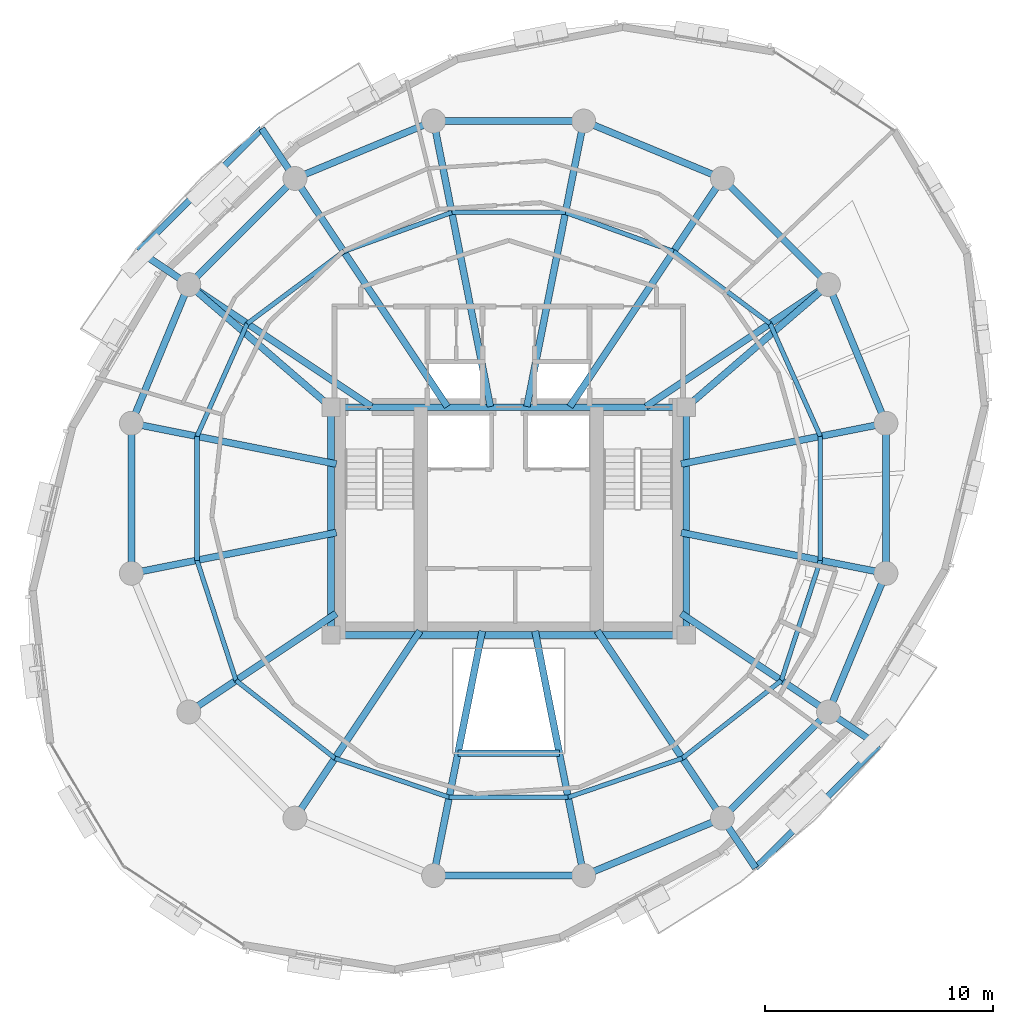
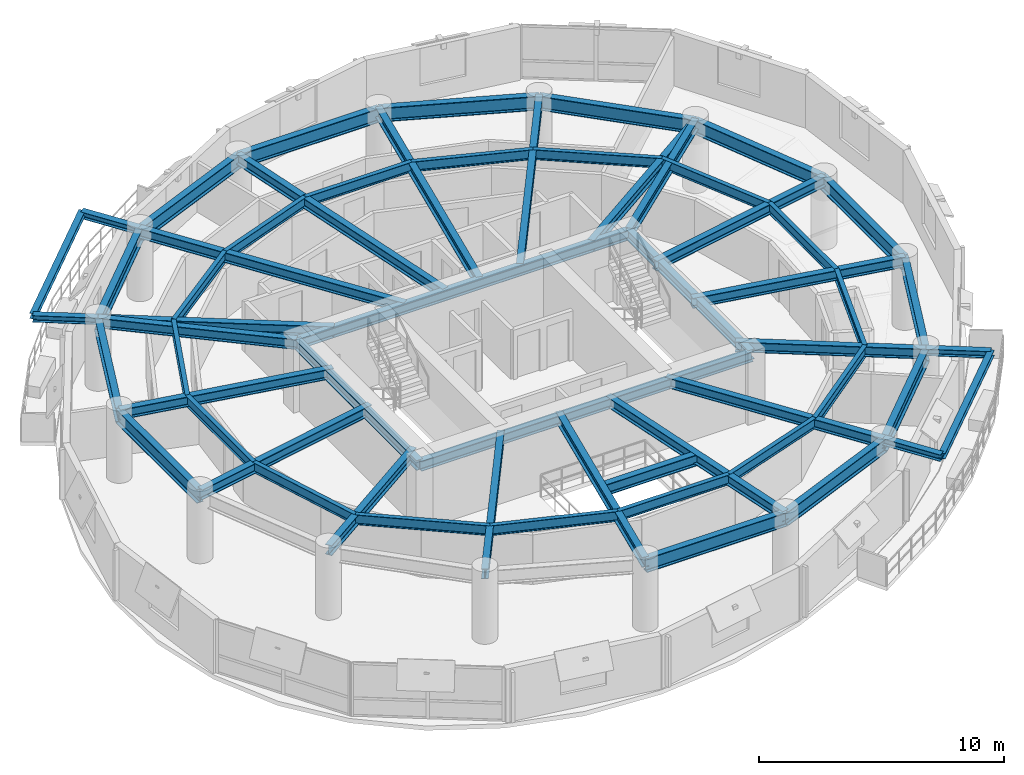
# One storey, part 5 of 12: 58 beams.
"""IFC4 building model written with IfcOpenShell, lengths in metres."""

from ifc_helpers import new_model, si_unit, direction, frame, origin, origin_2d, place, context, subcontext, project, spatial, i_section, extrude, material, material_profile, profile_set, type_object, element, save


model = new_model("IFC4")

# Units and contexts
model_context = context("Model", 3, precision=1e-05, world=origin(), true_north=direction((0.0, 1.0)))
body_context = subcontext(model_context, "Body", "Model", "MODEL_VIEW")
ifc_project = project(units=[si_unit("LENGTHUNIT", "METRE"), si_unit("AREAUNIT", "SQUARE_METRE"), si_unit("VOLUMEUNIT", "CUBIC_METRE"), si_unit("PLANEANGLEUNIT", "RADIAN"), si_unit("MASSUNIT", "GRAM", prefix="KILO"), si_unit("THERMODYNAMICTEMPERATUREUNIT", "KELVIN"), si_unit("POWERUNIT", "WATT")], contexts=[model_context])

# Site, building, storey
site_placement = place(None, origin())
site = spatial("IfcSite", under=ifc_project, at=site_placement, CompositionType="ELEMENT")
building_placement = place(site_placement, origin())
building = spatial("IfcBuilding", under=site, at=building_placement, Name="Ocrelia Relay Tower", CompositionType="ELEMENT")
storey_placement = place(building_placement, frame((0.0, 0.0, 213.199951171875)))
storey = spatial("IfcBuildingStorey", under=building, at=storey_placement, Name="L52", CompositionType="ELEMENT", Elevation=213.199951171875)

# Beams
ifc_material = material(Name="Steel S355", Category="steel")
ifc_material_profile_1 = material_profile(ifc_material, i_section(OverallWidth=0.280029296875, OverallDepth=0.27001953125, WebThickness=0.008056640625, FlangeThickness=0.012939453125, FilletRadius=0.02392578125, at=origin_2d()), Name="HEA 280")
ifc_profile_set_1 = profile_set([ifc_material_profile_1], Name="Steel S355")
beam_type_1 = type_object("IfcBeamType", Name="BM-HEA280", PredefinedType="BEAM", material=ifc_profile_set_1)
for number, where, z_axis, x_axis, name in (
    (1, (23.150634765625, 42.237060546875, 3.2451171875), (-0.709950446608, -0.704251633553, 0.0), (0.704251633553, -0.709950446608, 0.0), "L53 Balcony Edge Trimmer Beam B1"),
    (2, (44.849365234375, 9.762939453125, 3.2451171875), (0.709950446608, 0.704251633553, 0.0), (-0.704251633553, 0.709950446608, 0.0), "L53 Balcony Edge Trimmer Beam B2"),
):
    element("IfcBeam", number, at=place(storey_placement, frame(where, z_axis=z_axis, x_axis=x_axis)), inside=storey, type_object=beam_type_1, Name=name, PredefinedType="BEAM", context=body_context, shape_type="SweptSolid", body=[
        extrude(i_section(OverallWidth=0.280029296875, OverallDepth=0.27001953125, WebThickness=0.008056640625, FlangeThickness=0.012939453125, FilletRadius=0.02392578125, at=origin_2d()), origin(), (0.0, 0.0, 1.0), 7.625732421875),
    ])
ifc_material_profile_2 = material_profile(ifc_material, i_section(OverallWidth=0.300048828125, OverallDepth=0.330078125, WebThickness=0.009521484375, FlangeThickness=0.0166015625, FilletRadius=0.027099609375, at=origin_2d()), Name="HEA 340")
ifc_profile_set_2 = profile_set([ifc_material_profile_2], Name="Steel S355")
beam_type_2 = type_object("IfcBeamType", Name="BM-HEA340", PredefinedType="BEAM", material=ifc_profile_set_2)
beam_1_placement = place(storey_placement, frame((24.61083984375, 40.0517578125, 3.215087890625), z_axis=(-0.555578774908, 0.831463904732, 0.0), x_axis=(-0.831463904732, -0.555578774908, 0.0)))
element("IfcBeam", 3, at=beam_1_placement, inside=storey, type_object=beam_type_2, Name="L53 Balcony Cantilever Beam B1-1", PredefinedType="BEAM", context=body_context, shape_type="SweptSolid", body=[
    extrude(i_section(OverallWidth=0.300048828125, OverallDepth=0.330078125, WebThickness=0.009521484375, FlangeThickness=0.0166015625, FilletRadius=0.027099609375, at=origin_2d()), origin(), (0.0, 0.0, 1.0), 2.628173828125),
])
beam_2_placement = place(storey_placement, frame((19.9482421875, 35.38916015625, 3.215087890625), z_axis=(-0.831484966591, 0.555547253015, 0.0), x_axis=(-0.555547253015, -0.831484966591, 0.0)))
element("IfcBeam", 4, at=beam_2_placement, inside=storey, type_object=beam_type_2, Name="L53 Balcony Cantilever Beam B1-2", PredefinedType="BEAM", context=body_context, shape_type="SweptSolid", body=[
    extrude(i_section(OverallWidth=0.300048828125, OverallDepth=0.330078125, WebThickness=0.009521484375, FlangeThickness=0.0166015625, FilletRadius=0.027099609375, at=origin_2d()), origin(), (0.0, 0.0, 1.0), 2.65966796875),
])
beam_3_placement = place(storey_placement, frame((43.38916015625, 11.9482421875, 3.215087890625), z_axis=(0.555578774908, -0.831463904732, 0.0), x_axis=(0.831463904732, 0.555578774908, 0.0)))
element("IfcBeam", 5, at=beam_3_placement, inside=storey, type_object=beam_type_2, Name="L53 Balcony Cantilever Beam B2-1", PredefinedType="BEAM", context=body_context, shape_type="SweptSolid", body=[
    extrude(i_section(OverallWidth=0.300048828125, OverallDepth=0.330078125, WebThickness=0.009521484375, FlangeThickness=0.0166015625, FilletRadius=0.027099609375, at=origin_2d()), origin(), (0.0, 0.0, 1.0), 2.628173828125),
])
beam_4_placement = place(storey_placement, frame((48.0517578125, 16.61083984375, 3.215087890625), z_axis=(0.831484966591, -0.555547253015, 0.0), x_axis=(0.555547253015, 0.831484966591, 0.0)))
element("IfcBeam", 6, at=beam_4_placement, inside=storey, type_object=beam_type_2, Name="L53 Balcony Cantilever Beam B2-2", PredefinedType="BEAM", context=body_context, shape_type="SweptSolid", body=[
    extrude(i_section(OverallWidth=0.300048828125, OverallDepth=0.330078125, WebThickness=0.009521484375, FlangeThickness=0.0166015625, FilletRadius=0.027099609375, at=origin_2d()), origin(), (0.0, 0.0, 1.0), 2.65966796875),
])
ifc_material_profile_3 = material_profile(ifc_material, i_section(OverallWidth=0.300048828125, OverallDepth=0.5, WebThickness=0.014404296875, FlangeThickness=0.028076171875, FilletRadius=0.027099609375, at=origin_2d()), Name="HEB 500")
ifc_profile_set_3 = profile_set([ifc_material_profile_3], Name="Steel S355")
beam_type_3 = type_object("IfcBeamType", Name="BM-HEB500", PredefinedType="BEAM", material=ifc_profile_set_3)
for number, where, z_axis, x_axis, name in (
    (7, (26.199951171875, 20.0, 3.130126953125), (1.0, 0.0, 0.0), (0.0, 1.0, 0.0), "L52 Core Pilaster Tie Beam S"),
    (8, (26.199951171875, 30.0, 3.130126953125), (1.0, 0.0, 0.0), (0.0, 1.0, 0.0), "L52 Core Pilaster Tie Beam N"),
):
    element("IfcBeam", number, at=place(storey_placement, frame(where, z_axis=z_axis, x_axis=x_axis)), inside=storey, type_object=beam_type_3, Name=name, PredefinedType="BEAM", context=body_context, shape_type="SweptSolid", body=[
        extrude(i_section(OverallWidth=0.300048828125, OverallDepth=0.5, WebThickness=0.014404296875, FlangeThickness=0.028076171875, FilletRadius=0.027099609375, at=origin_2d()), origin(), (0.0, 0.0, 1.0), 15.60009765625),
    ])
for number, where, z_axis, x_axis, name in (
    (9, (26.199951171875, 20.0, 3.130126953125), (0.0, 1.0, 0.0), (-1.0, 0.0, 0.0), "L52 Core Pilaster Tie Beam W"),
    (10, (41.800048828125, 20.0, 3.130126953125), (0.0, 1.0, 0.0), (-1.0, 0.0, 0.0), "L52 Core Pilaster Tie Beam E"),
):
    element("IfcBeam", number, at=place(storey_placement, frame(where, z_axis=z_axis, x_axis=x_axis)), inside=storey, type_object=beam_type_3, Name=name, PredefinedType="BEAM", context=body_context, shape_type="SweptSolid", body=[
        extrude(i_section(OverallWidth=0.300048828125, OverallDepth=0.5, WebThickness=0.014404296875, FlangeThickness=0.028076171875, FilletRadius=0.027099609375, at=origin_2d()), origin(), (0.0, 0.0, 1.0), 10.0),
    ])
beam_5_placement = place(storey_placement, frame((50.5751953125, 29.297119140625, 3.130126953125), z_axis=(-0.980783891197, -0.1950973059, 0.0), x_axis=(0.1950973059, -0.980783891197, 0.0)))
element("IfcBeam", 11, at=beam_5_placement, inside=storey, type_object=beam_type_3, Name="L52 Radial Floor Girder R01", PredefinedType="BEAM", context=body_context, shape_type="SweptSolid", body=[
    extrude(i_section(OverallWidth=0.300048828125, OverallDepth=0.5, WebThickness=0.014404296875, FlangeThickness=0.028076171875, FilletRadius=0.027099609375, at=origin_2d()), origin(), (0.0, 0.0, 1.0), 9.17138671875),
])
beam_6_placement = place(storey_placement, frame((48.0517578125, 35.38916015625, 3.130126953125), z_axis=(-0.831469666235, -0.555570152305, 0.0), x_axis=(0.555570152305, -0.831469666235, 0.0)))
element("IfcBeam", 12, at=beam_6_placement, inside=storey, type_object=beam_type_3, Name="L52 Radial Floor Girder R02", PredefinedType="BEAM", context=body_context, shape_type="SweptSolid", body=[
    extrude(i_section(OverallWidth=0.300048828125, OverallDepth=0.5, WebThickness=0.014404296875, FlangeThickness=0.028076171875, FilletRadius=0.027099609375, at=origin_2d()), origin(), (0.0, 0.0, 1.0), 9.646240234375),
])
beam_7_placement = place(storey_placement, frame((48.0517578125, 35.38916015625, 3.130126953125), z_axis=(-0.757424589403, -0.652922653434, 0.0), x_axis=(0.652922653434, -0.757424589403, 0.0)))
element("IfcBeam", 13, at=beam_7_placement, inside=storey, type_object=beam_type_3, Name="L52 Core Pilaster Frame Tie Beam PT02", PredefinedType="BEAM", context=body_context, shape_type="SweptSolid", body=[
    extrude(i_section(OverallWidth=0.300048828125, OverallDepth=0.5, WebThickness=0.014404296875, FlangeThickness=0.028076171875, FilletRadius=0.027099609375, at=origin_2d()), origin(), (0.0, 0.0, 1.0), 8.25390625),
])
beam_8_placement = place(storey_placement, frame((43.38916015625, 40.0517578125, 3.130126953125), z_axis=(-0.55556932408, -0.831470219636, 0.0), x_axis=(0.831470219636, -0.55556932408, 0.0)))
element("IfcBeam", 14, at=beam_8_placement, inside=storey, type_object=beam_type_3, Name="L52 Radial Floor Girder R03", PredefinedType="BEAM", context=body_context, shape_type="SweptSolid", body=[
    extrude(i_section(OverallWidth=0.300048828125, OverallDepth=0.5, WebThickness=0.014404296875, FlangeThickness=0.028076171875, FilletRadius=0.027099609375, at=origin_2d()), origin(), (0.0, 0.0, 1.0), 12.052978515625),
])
for number, where, z_axis, x_axis, name in (
    (15, (37.297119140625, 42.5751953125, 3.130126953125), (-0.195106626135, -0.980782037171, 0.0), (0.980782037171, -0.195106626135, 0.0), "L52 Radial Floor Girder R04"),
    (16, (30.702880859375, 42.5751953125, 3.130126953125), (0.195106626135, -0.980782037171, 0.0), (0.980782037171, 0.195106626135, 0.0), "L52 Radial Floor Girder R05"),
):
    element("IfcBeam", number, at=place(storey_placement, frame(where, z_axis=z_axis, x_axis=x_axis)), inside=storey, type_object=beam_type_3, Name=name, PredefinedType="BEAM", context=body_context, shape_type="SweptSolid", body=[
        extrude(i_section(OverallWidth=0.300048828125, OverallDepth=0.5, WebThickness=0.014404296875, FlangeThickness=0.028076171875, FilletRadius=0.027099609375, at=origin_2d()), origin(), (0.0, 0.0, 1.0), 12.791015625),
    ])
beam_9_placement = place(storey_placement, frame((24.61083984375, 40.0517578125, 3.130126953125), z_axis=(0.55556932408, -0.831470219636, 0.0), x_axis=(0.831470219636, 0.55556932408, 0.0)))
element("IfcBeam", 17, at=beam_9_placement, inside=storey, type_object=beam_type_3, Name="L52 Radial Floor Girder R06", PredefinedType="BEAM", context=body_context, shape_type="SweptSolid", body=[
    extrude(i_section(OverallWidth=0.300048828125, OverallDepth=0.5, WebThickness=0.014404296875, FlangeThickness=0.028076171875, FilletRadius=0.027099609375, at=origin_2d()), origin(), (0.0, 0.0, 1.0), 12.052978515625),
])
beam_10_placement = place(storey_placement, frame((19.9482421875, 35.38916015625, 3.130126953125), z_axis=(0.831469666235, -0.555570152305, 0.0), x_axis=(0.555570152305, 0.831469666235, 0.0)))
element("IfcBeam", 18, at=beam_10_placement, inside=storey, type_object=beam_type_3, Name="L52 Radial Floor Girder R07", PredefinedType="BEAM", context=body_context, shape_type="SweptSolid", body=[
    extrude(i_section(OverallWidth=0.300048828125, OverallDepth=0.5, WebThickness=0.014404296875, FlangeThickness=0.028076171875, FilletRadius=0.027099609375, at=origin_2d()), origin(), (0.0, 0.0, 1.0), 9.646240234375),
])
beam_11_placement = place(storey_placement, frame((19.9482421875, 35.38916015625, 3.130126953125), z_axis=(0.757424589403, -0.652922653434, 0.0), x_axis=(0.652922653434, 0.757424589403, 0.0)))
element("IfcBeam", 19, at=beam_11_placement, inside=storey, type_object=beam_type_3, Name="L52 Core Pilaster Frame Tie Beam PT07", PredefinedType="BEAM", context=body_context, shape_type="SweptSolid", body=[
    extrude(i_section(OverallWidth=0.300048828125, OverallDepth=0.5, WebThickness=0.014404296875, FlangeThickness=0.028076171875, FilletRadius=0.027099609375, at=origin_2d()), origin(), (0.0, 0.0, 1.0), 8.25390625),
])
for number, where, z_axis, x_axis, name in (
    (20, (17.4248046875, 29.297119140625, 3.130126953125), (0.980784683446, -0.195093323097, 0.0), (0.195093323097, 0.980784683446, 0.0), "L52 Radial Floor Girder R08"),
    (21, (17.4248046875, 22.702880859375, 3.130126953125), (0.980784683446, 0.195093323097, 0.0), (-0.195093323097, 0.980784683446, 0.0), "L52 Radial Floor Girder R09"),
):
    element("IfcBeam", number, at=place(storey_placement, frame(where, z_axis=z_axis, x_axis=x_axis)), inside=storey, type_object=beam_type_3, Name=name, PredefinedType="BEAM", context=body_context, shape_type="SweptSolid", body=[
        extrude(i_section(OverallWidth=0.300048828125, OverallDepth=0.5, WebThickness=0.014404296875, FlangeThickness=0.028076171875, FilletRadius=0.027099609375, at=origin_2d()), origin(), (0.0, 0.0, 1.0), 9.181640625),
    ])
beam_12_placement = place(storey_placement, frame((19.9482421875, 16.61083984375, 3.130126953125), z_axis=(0.831462012084, 0.555581607382, 0.0), x_axis=(-0.555581607382, 0.831462012084, 0.0)))
element("IfcBeam", 22, at=beam_12_placement, inside=storey, type_object=beam_type_3, Name="L52 Radial Floor Girder R10", PredefinedType="BEAM", context=body_context, shape_type="SweptSolid", body=[
    extrude(i_section(OverallWidth=0.300048828125, OverallDepth=0.5, WebThickness=0.014404296875, FlangeThickness=0.028076171875, FilletRadius=0.027099609375, at=origin_2d()), origin(), (0.0, 0.0, 1.0), 7.795654296875),
])
beam_13_placement = place(storey_placement, frame((24.61083984375, 11.9482421875, 3.130126953125), z_axis=(0.555577337069, 0.831464865485, 0.0), x_axis=(-0.831464865485, 0.555577337069, 0.0)))
element("IfcBeam", 23, at=beam_13_placement, inside=storey, type_object=beam_type_3, Name="L52 Radial Floor Girder R11", PredefinedType="BEAM", context=body_context, shape_type="SweptSolid", body=[
    extrude(i_section(OverallWidth=0.300048828125, OverallDepth=0.5, WebThickness=0.014404296875, FlangeThickness=0.028076171875, FilletRadius=0.027099609375, at=origin_2d()), origin(), (0.0, 0.0, 1.0), 9.88818359375),
])
for number, where, z_axis, x_axis, name in (
    (24, (30.702880859375, 9.4248046875, 3.130126953125), (0.195100373206, 0.980783281044, 0.0), (-0.980783281044, 0.195100373206, 0.0), "L52 Radial Floor Girder R12"),
    (25, (37.297119140625, 9.4248046875, 3.130126953125), (-0.195100373206, 0.980783281044, 0.0), (-0.980783281044, -0.195100373206, 0.0), "L52 Radial Floor Girder R13"),
):
    element("IfcBeam", number, at=place(storey_placement, frame(where, z_axis=z_axis, x_axis=x_axis)), inside=storey, type_object=beam_type_3, Name=name, PredefinedType="BEAM", context=body_context, shape_type="SweptSolid", body=[
        extrude(i_section(OverallWidth=0.300048828125, OverallDepth=0.5, WebThickness=0.014404296875, FlangeThickness=0.028076171875, FilletRadius=0.027099609375, at=origin_2d()), origin(), (0.0, 0.0, 1.0), 10.95556640625),
    ])
beam_14_placement = place(storey_placement, frame((43.38916015625, 11.9482421875, 3.130126953125), z_axis=(-0.555577337069, 0.831464865485, 0.0), x_axis=(-0.831464865485, -0.555577337069, 0.0)))
element("IfcBeam", 26, at=beam_14_placement, inside=storey, type_object=beam_type_3, Name="L52 Radial Floor Girder R14", PredefinedType="BEAM", context=body_context, shape_type="SweptSolid", body=[
    extrude(i_section(OverallWidth=0.300048828125, OverallDepth=0.5, WebThickness=0.014404296875, FlangeThickness=0.028076171875, FilletRadius=0.027099609375, at=origin_2d()), origin(), (0.0, 0.0, 1.0), 9.88818359375),
])
beam_15_placement = place(storey_placement, frame((48.0517578125, 16.61083984375, 3.130126953125), z_axis=(-0.831456272244, 0.555590197309, 0.0), x_axis=(-0.555590197309, -0.831456272244, 0.0)))
element("IfcBeam", 27, at=beam_15_placement, inside=storey, type_object=beam_type_3, Name="L52 Radial Floor Girder R15", PredefinedType="BEAM", context=body_context, shape_type="SweptSolid", body=[
    extrude(i_section(OverallWidth=0.300048828125, OverallDepth=0.5, WebThickness=0.014404296875, FlangeThickness=0.028076171875, FilletRadius=0.027099609375, at=origin_2d()), origin(), (0.0, 0.0, 1.0), 7.783447265625),
])
beam_16_placement = place(storey_placement, frame((50.5751953125, 22.702880859375, 3.130126953125), z_axis=(-0.980783891197, 0.1950973059, 0.0), x_axis=(-0.1950973059, -0.980783891197, 0.0)))
element("IfcBeam", 28, at=beam_16_placement, inside=storey, type_object=beam_type_3, Name="L52 Radial Floor Girder R16", PredefinedType="BEAM", context=body_context, shape_type="SweptSolid", body=[
    extrude(i_section(OverallWidth=0.300048828125, OverallDepth=0.5, WebThickness=0.014404296875, FlangeThickness=0.028076171875, FilletRadius=0.027099609375, at=origin_2d()), origin(), (0.0, 0.0, 1.0), 9.17138671875),
])
ifc_material_profile_4 = material_profile(ifc_material, i_section(OverallWidth=0.300048828125, OverallDepth=0.550048828125, WebThickness=0.014892578125, FlangeThickness=0.029052734375, FilletRadius=0.027099609375, at=origin_2d()), Name="HEB 550")
ifc_profile_set_4 = profile_set([ifc_material_profile_4], Name="Steel S355")
beam_type_4 = type_object("IfcBeamType", Name="BM-HEB550", PredefinedType="BEAM", material=ifc_profile_set_4)
beam_17_placement = place(storey_placement, frame((31.772216796875, 14.800048828125, 3.10498046875), z_axis=(1.0, 0.0, 0.0), x_axis=(0.0, 1.0, 0.0)))
element("IfcBeam", 29, at=beam_17_placement, inside=storey, type_object=beam_type_4, Name="L52 Atrium South Trimmer Beam", PredefinedType="BEAM", context=body_context, shape_type="SweptSolid", body=[
    extrude(i_section(OverallWidth=0.300048828125, OverallDepth=0.550048828125, WebThickness=0.014892578125, FlangeThickness=0.029052734375, FilletRadius=0.027099609375, at=origin_2d()), origin(), (0.0, 0.0, 1.0), 4.45556640625),
])
ifc_material_profile_5 = material_profile(ifc_material, i_section(OverallWidth=0.300048828125, OverallDepth=0.699951171875, WebThickness=0.01708984375, FlangeThickness=0.031982421875, FilletRadius=0.027099609375, at=origin_2d()), Name="HEB 700")
ifc_profile_set_5 = profile_set([ifc_material_profile_5], Name="Steel S355")
beam_type_5 = type_object("IfcBeamType", Name="BM-HEB700", PredefinedType="BEAM", material=ifc_profile_set_5)
for number, where, z_axis, x_axis, name in (
    (30, (50.5751953125, 29.297119140625, 3.030029296875), (-0.382687508402, 0.923877844151, 0.0), (-0.923877844151, -0.382687508402, 0.0), "L52 Perimeter Spandrel Beam S01"),
    (31, (48.0517578125, 35.38916015625, 3.030029296875), (-0.707106781187, 0.707106781187, 0.0), (-0.707106781187, -0.707106781187, 0.0), "L52 Perimeter Spandrel Beam S02"),
    (32, (43.38916015625, 40.0517578125, 3.030029296875), (-0.923877844151, 0.382687508402, 0.0), (-0.382687508402, -0.923877844151, 0.0), "L52 Perimeter Spandrel Beam S03"),
):
    element("IfcBeam", number, at=place(storey_placement, frame(where, z_axis=z_axis, x_axis=x_axis)), inside=storey, type_object=beam_type_5, Name=name, PredefinedType="BEAM", context=body_context, shape_type="SweptSolid", body=[
        extrude(i_section(OverallWidth=0.300048828125, OverallDepth=0.699951171875, WebThickness=0.01708984375, FlangeThickness=0.031982421875, FilletRadius=0.027099609375, at=origin_2d()), origin(), (0.0, 0.0, 1.0), 6.593994140625),
    ])
beam_18_placement = place(storey_placement, frame((37.297119140625, 42.5751953125, 3.030029296875), z_axis=(-1.0, 0.0, 0.0), x_axis=(0.0, -1.0, 0.0)))
element("IfcBeam", 33, at=beam_18_placement, inside=storey, type_object=beam_type_5, Name="L52 Perimeter Spandrel Beam S04", PredefinedType="BEAM", context=body_context, shape_type="SweptSolid", body=[
    extrude(i_section(OverallWidth=0.300048828125, OverallDepth=0.699951171875, WebThickness=0.01708984375, FlangeThickness=0.031982421875, FilletRadius=0.027099609375, at=origin_2d()), origin(), (0.0, 0.0, 1.0), 6.59423828125),
])
for number, where, z_axis, x_axis, name in (
    (34, (30.702880859375, 42.5751953125, 3.030029296875), (-0.923877844151, -0.382687508402, 0.0), (0.382687508402, -0.923877844151, 0.0), "L52 Perimeter Spandrel Beam S05"),
    (35, (24.61083984375, 40.0517578125, 3.030029296875), (-0.707106781187, -0.707106781187, 0.0), (0.707106781187, -0.707106781187, 0.0), "L52 Perimeter Spandrel Beam S06"),
    (36, (19.9482421875, 35.38916015625, 3.030029296875), (-0.382687508402, -0.923877844151, 0.0), (0.923877844151, -0.382687508402, 0.0), "L52 Perimeter Spandrel Beam S07"),
):
    element("IfcBeam", number, at=place(storey_placement, frame(where, z_axis=z_axis, x_axis=x_axis)), inside=storey, type_object=beam_type_5, Name=name, PredefinedType="BEAM", context=body_context, shape_type="SweptSolid", body=[
        extrude(i_section(OverallWidth=0.300048828125, OverallDepth=0.699951171875, WebThickness=0.01708984375, FlangeThickness=0.031982421875, FilletRadius=0.027099609375, at=origin_2d()), origin(), (0.0, 0.0, 1.0), 6.593994140625),
    ])
for number, where, z_axis, x_axis, name in (
    (37, (17.4248046875, 29.297119140625, 3.030029296875), (0.0, -1.0, 0.0), (1.0, 0.0, 0.0), "L52 Perimeter Spandrel Beam S08"),
    (38, (30.702880859375, 9.4248046875, 3.030029296875), (1.0, 0.0, 0.0), (0.0, 1.0, 0.0), "L52 Perimeter Spandrel Beam S12"),
):
    element("IfcBeam", number, at=place(storey_placement, frame(where, z_axis=z_axis, x_axis=x_axis)), inside=storey, type_object=beam_type_5, Name=name, PredefinedType="BEAM", context=body_context, shape_type="SweptSolid", body=[
        extrude(i_section(OverallWidth=0.300048828125, OverallDepth=0.699951171875, WebThickness=0.01708984375, FlangeThickness=0.031982421875, FilletRadius=0.027099609375, at=origin_2d()), origin(), (0.0, 0.0, 1.0), 6.59423828125),
    ])
for number, where, z_axis, x_axis, name in (
    (39, (37.297119140625, 9.4248046875, 3.030029296875), (0.923877844151, 0.382687508402, 0.0), (-0.382687508402, 0.923877844151, 0.0), "L52 Perimeter Spandrel Beam S13"),
    (40, (43.38916015625, 11.9482421875, 3.030029296875), (0.707106781187, 0.707106781187, 0.0), (-0.707106781187, 0.707106781187, 0.0), "L52 Perimeter Spandrel Beam S14"),
    (41, (48.0517578125, 16.61083984375, 3.030029296875), (0.382687508402, 0.923877844151, 0.0), (-0.923877844151, 0.382687508402, 0.0), "L52 Perimeter Spandrel Beam S15"),
):
    element("IfcBeam", number, at=place(storey_placement, frame(where, z_axis=z_axis, x_axis=x_axis)), inside=storey, type_object=beam_type_5, Name=name, PredefinedType="BEAM", context=body_context, shape_type="SweptSolid", body=[
        extrude(i_section(OverallWidth=0.300048828125, OverallDepth=0.699951171875, WebThickness=0.01708984375, FlangeThickness=0.031982421875, FilletRadius=0.027099609375, at=origin_2d()), origin(), (0.0, 0.0, 1.0), 6.593994140625),
    ])
beam_19_placement = place(storey_placement, frame((50.5751953125, 22.702880859375, 3.030029296875), z_axis=(0.0, 1.0, 0.0), x_axis=(-1.0, 0.0, 0.0)))
element("IfcBeam", 42, at=beam_19_placement, inside=storey, type_object=beam_type_5, Name="L52 Perimeter Spandrel Beam S16", PredefinedType="BEAM", context=body_context, shape_type="SweptSolid", body=[
    extrude(i_section(OverallWidth=0.300048828125, OverallDepth=0.699951171875, WebThickness=0.01708984375, FlangeThickness=0.031982421875, FilletRadius=0.027099609375, at=origin_2d()), origin(), (0.0, 0.0, 1.0), 6.59423828125),
])
ifc_material_profile_6 = material_profile(ifc_material, i_section(OverallWidth=0.199951171875, OverallDepth=0.5, WebThickness=0.01025390625, FlangeThickness=0.01611328125, FilletRadius=0.02099609375, at=origin_2d()), Name="IPE 500")
ifc_profile_set_6 = profile_set([ifc_material_profile_6], Name="Steel S355")
beam_type_6 = type_object("IfcBeamType", Name="BM-IPE500", PredefinedType="JOIST", material=ifc_profile_set_6)
beam_20_placement = place(storey_placement, frame((47.69677734375, 28.724365234375, 3.130126953125), z_axis=(-0.407938464853, 0.913009424318, 0.0), x_axis=(-0.913009424318, -0.407938464853, 0.0)))
element("IfcBeam", 43, at=beam_20_placement, inside=storey, type_object=beam_type_6, Name="L52 Secondary Floor Joist J01", PredefinedType="JOIST", context=body_context, shape_type="SweptSolid", body=[
    extrude(i_section(OverallWidth=0.199951171875, OverallDepth=0.5, WebThickness=0.01025390625, FlangeThickness=0.01611328125, FilletRadius=0.02099609375, at=origin_2d()), origin(), (0.0, 0.0, 1.0), 5.421630859375),
])
beam_21_placement = place(storey_placement, frame((45.485107421875, 33.67431640625, 3.130126953125), z_axis=(-0.800785247359, 0.598951573678, 0.0), x_axis=(-0.598951573678, -0.800785247359, 0.0)))
element("IfcBeam", 44, at=beam_21_placement, inside=storey, type_object=beam_type_6, Name="L52 Secondary Floor Joist J02", PredefinedType="JOIST", context=body_context, shape_type="SweptSolid", body=[
    extrude(i_section(OverallWidth=0.199951171875, OverallDepth=0.5, WebThickness=0.01025390625, FlangeThickness=0.01611328125, FilletRadius=0.02099609375, at=origin_2d()), origin(), (0.0, 0.0, 1.0), 5.293212890625),
])
beam_22_placement = place(storey_placement, frame((41.246337890625, 36.8447265625, 3.130126953125), z_axis=(-0.940453871246, 0.339921338046, 0.0), x_axis=(-0.339921338046, -0.940453871246, 0.0)))
element("IfcBeam", 45, at=beam_22_placement, inside=storey, type_object=beam_type_6, Name="L52 Secondary Floor Joist J03", PredefinedType="JOIST", context=body_context, shape_type="SweptSolid", body=[
    extrude(i_section(OverallWidth=0.199951171875, OverallDepth=0.5, WebThickness=0.01025390625, FlangeThickness=0.01611328125, FilletRadius=0.02099609375, at=origin_2d()), origin(), (0.0, 0.0, 1.0), 5.04833984375),
])
beam_23_placement = place(storey_placement, frame((36.49853515625, 38.560791015625, 3.130126953125), z_axis=(-1.0, 0.0, 0.0), x_axis=(0.0, -1.0, 0.0)))
element("IfcBeam", 46, at=beam_23_placement, inside=storey, type_object=beam_type_6, Name="L52 Secondary Floor Joist J04", PredefinedType="JOIST", context=body_context, shape_type="SweptSolid", body=[
    extrude(i_section(OverallWidth=0.199951171875, OverallDepth=0.5, WebThickness=0.01025390625, FlangeThickness=0.01611328125, FilletRadius=0.02099609375, at=origin_2d()), origin(), (0.0, 0.0, 1.0), 4.9970703125),
])
beam_24_placement = place(storey_placement, frame((31.50146484375, 38.560791015625, 3.130126953125), z_axis=(-0.940453871246, -0.339921338046, 0.0), x_axis=(0.339921338046, -0.940453871246, 0.0)))
element("IfcBeam", 47, at=beam_24_placement, inside=storey, type_object=beam_type_6, Name="L52 Secondary Floor Joist J05", PredefinedType="JOIST", context=body_context, shape_type="SweptSolid", body=[
    extrude(i_section(OverallWidth=0.199951171875, OverallDepth=0.5, WebThickness=0.01025390625, FlangeThickness=0.01611328125, FilletRadius=0.02099609375, at=origin_2d()), origin(), (0.0, 0.0, 1.0), 5.04833984375),
])
beam_25_placement = place(storey_placement, frame((26.753662109375, 36.8447265625, 3.130126953125), z_axis=(-0.800785247359, -0.598951573678, 0.0), x_axis=(0.598951573678, -0.800785247359, 0.0)))
element("IfcBeam", 48, at=beam_25_placement, inside=storey, type_object=beam_type_6, Name="L52 Secondary Floor Joist J06", PredefinedType="JOIST", context=body_context, shape_type="SweptSolid", body=[
    extrude(i_section(OverallWidth=0.199951171875, OverallDepth=0.5, WebThickness=0.01025390625, FlangeThickness=0.01611328125, FilletRadius=0.02099609375, at=origin_2d()), origin(), (0.0, 0.0, 1.0), 5.293212890625),
])
beam_26_placement = place(storey_placement, frame((22.514892578125, 33.67431640625, 3.130126953125), z_axis=(-0.407416785709, -0.913242335157, 0.0), x_axis=(0.913242335157, -0.407416785709, 0.0)))
element("IfcBeam", 49, at=beam_26_placement, inside=storey, type_object=beam_type_6, Name="L52 Secondary Floor Joist J07", PredefinedType="JOIST", context=body_context, shape_type="SweptSolid", body=[
    extrude(i_section(OverallWidth=0.199951171875, OverallDepth=0.5, WebThickness=0.01025390625, FlangeThickness=0.01611328125, FilletRadius=0.02099609375, at=origin_2d()), origin(), (0.0, 0.0, 1.0), 5.420654296875),
])
beam_27_placement = place(storey_placement, frame((20.306396484375, 28.723876953125, 3.130126953125), z_axis=(0.0, -1.0, 0.0), x_axis=(1.0, 0.0, 0.0)))
element("IfcBeam", 50, at=beam_27_placement, inside=storey, type_object=beam_type_6, Name="L52 Secondary Floor Joist J08", PredefinedType="JOIST", context=body_context, shape_type="SweptSolid", body=[
    extrude(i_section(OverallWidth=0.199951171875, OverallDepth=0.5, WebThickness=0.01025390625, FlangeThickness=0.01611328125, FilletRadius=0.02099609375, at=origin_2d()), origin(), (0.0, 0.0, 1.0), 5.44775390625),
])
beam_28_placement = place(storey_placement, frame((20.306396484375, 23.276123046875, 3.130126953125), z_axis=(0.309133805786, -0.951018554036, 0.0), x_axis=(0.951018554036, 0.309133805786, 0.0)))
element("IfcBeam", 51, at=beam_28_placement, inside=storey, type_object=beam_type_6, Name="L52 Secondary Floor Joist J09", PredefinedType="JOIST", context=body_context, shape_type="SweptSolid", body=[
    extrude(i_section(OverallWidth=0.199951171875, OverallDepth=0.5, WebThickness=0.01025390625, FlangeThickness=0.01611328125, FilletRadius=0.02099609375, at=origin_2d()), origin(), (0.0, 0.0, 1.0), 5.55126953125),
])
beam_29_placement = place(storey_placement, frame((22.0224609375, 17.996826171875, 3.130126953125), z_axis=(0.786083859045, -0.618119864224, 0.0), x_axis=(0.618119864224, 0.786083859045, 0.0)))
element("IfcBeam", 52, at=beam_29_placement, inside=storey, type_object=beam_type_6, Name="L52 Secondary Floor Joist J10", PredefinedType="JOIST", context=body_context, shape_type="SweptSolid", body=[
    extrude(i_section(OverallWidth=0.199951171875, OverallDepth=0.5, WebThickness=0.01025390625, FlangeThickness=0.01611328125, FilletRadius=0.02099609375, at=origin_2d()), origin(), (0.0, 0.0, 1.0), 5.529296875),
])
beam_30_placement = place(storey_placement, frame((26.368896484375, 14.5791015625, 3.130126953125), z_axis=(0.946215174492, -0.323538009454, 0.0), x_axis=(0.323538009454, 0.946215174492, 0.0)))
element("IfcBeam", 53, at=beam_30_placement, inside=storey, type_object=beam_type_6, Name="L52 Secondary Floor Joist J11", PredefinedType="JOIST", context=body_context, shape_type="SweptSolid", body=[
    extrude(i_section(OverallWidth=0.199951171875, OverallDepth=0.5, WebThickness=0.01025390625, FlangeThickness=0.01611328125, FilletRadius=0.02099609375, at=origin_2d()), origin(), (0.0, 0.0, 1.0), 5.30322265625),
])
beam_31_placement = place(storey_placement, frame((31.386962890625, 12.86328125, 3.130126953125), z_axis=(1.0, 0.0, 0.0), x_axis=(0.0, 1.0, 0.0)))
element("IfcBeam", 54, at=beam_31_placement, inside=storey, type_object=beam_type_6, Name="L52 Secondary Floor Joist J12", PredefinedType="JOIST", context=body_context, shape_type="SweptSolid", body=[
    extrude(i_section(OverallWidth=0.199951171875, OverallDepth=0.5, WebThickness=0.01025390625, FlangeThickness=0.01611328125, FilletRadius=0.02099609375, at=origin_2d()), origin(), (0.0, 0.0, 1.0), 5.22607421875),
])
beam_32_placement = place(storey_placement, frame((36.613037109375, 12.86328125, 3.130126953125), z_axis=(0.946215174492, 0.323538009454, 0.0), x_axis=(-0.323538009454, 0.946215174492, 0.0)))
element("IfcBeam", 55, at=beam_32_placement, inside=storey, type_object=beam_type_6, Name="L52 Secondary Floor Joist J13", PredefinedType="JOIST", context=body_context, shape_type="SweptSolid", body=[
    extrude(i_section(OverallWidth=0.199951171875, OverallDepth=0.5, WebThickness=0.01025390625, FlangeThickness=0.01611328125, FilletRadius=0.02099609375, at=origin_2d()), origin(), (0.0, 0.0, 1.0), 5.30322265625),
])
beam_33_placement = place(storey_placement, frame((41.631103515625, 14.5791015625, 3.130126953125), z_axis=(0.78649600233, 0.617595367793, 0.0), x_axis=(-0.617595367793, 0.78649600233, 0.0)))
element("IfcBeam", 56, at=beam_33_placement, inside=storey, type_object=beam_type_6, Name="L52 Secondary Floor Joist J14", PredefinedType="JOIST", context=body_context, shape_type="SweptSolid", body=[
    extrude(i_section(OverallWidth=0.199951171875, OverallDepth=0.5, WebThickness=0.01025390625, FlangeThickness=0.01611328125, FilletRadius=0.02099609375, at=origin_2d()), origin(), (0.0, 0.0, 1.0), 5.5302734375),
])
beam_34_placement = place(storey_placement, frame((45.980712890625, 17.99462890625, 3.130126953125), z_axis=(0.309043322978, 0.95104796121, 0.0), x_axis=(-0.95104796121, 0.309043322978, 0.0)))
element("IfcBeam", 57, at=beam_34_placement, inside=storey, type_object=beam_type_6, Name="L52 Secondary Floor Joist J15", PredefinedType="JOIST", context=body_context, shape_type="SweptSolid", body=[
    extrude(i_section(OverallWidth=0.199951171875, OverallDepth=0.5, WebThickness=0.01025390625, FlangeThickness=0.01611328125, FilletRadius=0.02099609375, at=origin_2d()), origin(), (0.0, 0.0, 1.0), 5.552734375),
])
beam_35_placement = place(storey_placement, frame((47.69677734375, 23.275634765625, 3.130126953125), z_axis=(0.0, 1.0, 0.0), x_axis=(-1.0, 0.0, 0.0)))
element("IfcBeam", 58, at=beam_35_placement, inside=storey, type_object=beam_type_6, Name="L52 Secondary Floor Joist J16", PredefinedType="JOIST", context=body_context, shape_type="SweptSolid", body=[
    extrude(i_section(OverallWidth=0.199951171875, OverallDepth=0.5, WebThickness=0.01025390625, FlangeThickness=0.01611328125, FilletRadius=0.02099609375, at=origin_2d()), origin(), (0.0, 0.0, 1.0), 5.44873046875),
])

save(model, "model.ifc")
